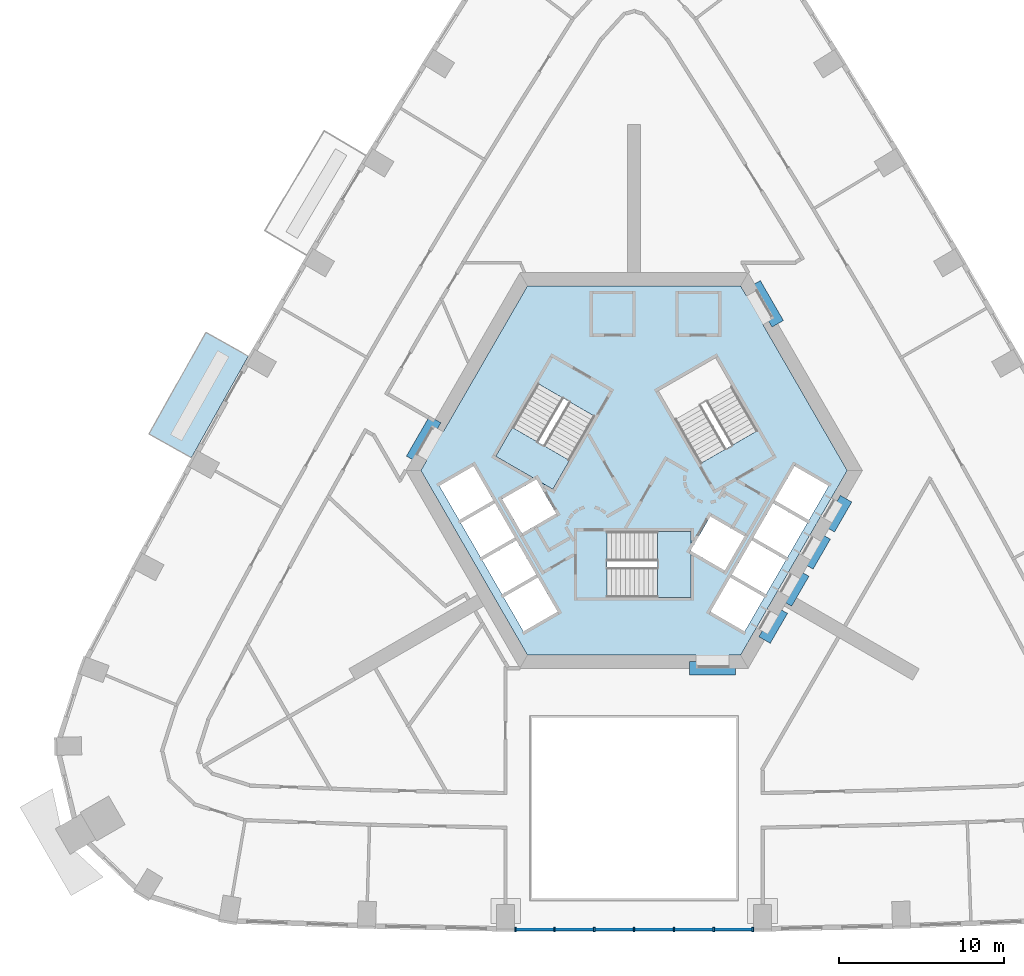
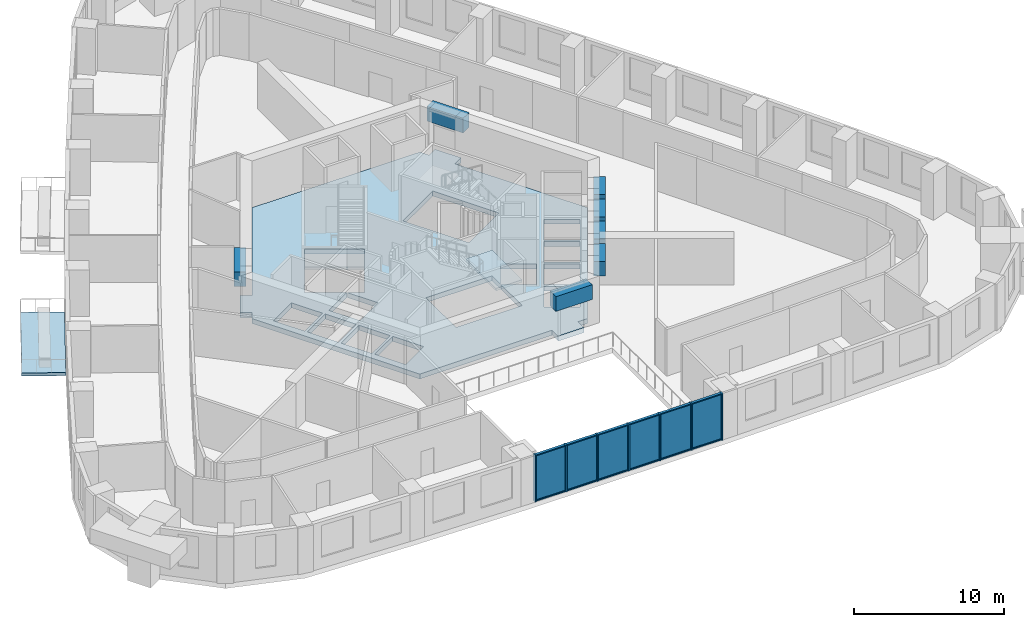
# One storey, part 2 of 15: 19 members, 7 beams, 6 plates, 4 slabs, 3 elements without a shape of their own.
"""IFC4 building model written with IfcOpenShell, lengths in metres."""

from ifc_helpers import new_model, si_unit, direction, frame, origin, origin_2d, place, context, subcontext, project, spatial, polyline, rectangle, outline, extrude, material, layer, layer_set, material_profile, profile_set, type_object, element, aggregate, save


model = new_model("IFC4")

# Units and contexts
model_context = context("Model", 3, precision=1e-05, world=origin(), true_north=direction((0.0, 1.0)))
body_context = subcontext(model_context, "Body", "Model", "MODEL_VIEW")
ifc_project = project(units=[si_unit("LENGTHUNIT", "METRE"), si_unit("AREAUNIT", "SQUARE_METRE"), si_unit("VOLUMEUNIT", "CUBIC_METRE"), si_unit("PLANEANGLEUNIT", "RADIAN"), si_unit("MASSUNIT", "GRAM", prefix="KILO")], contexts=[model_context])

# Site, building, storey
site_placement = place(None, origin())
site = spatial("IfcSite", under=ifc_project, at=site_placement, CompositionType="ELEMENT")
building_placement = place(site_placement, origin())
building = spatial("IfcBuilding", under=site, at=building_placement, Name="Entoto Arch Interchange Tower", CompositionType="ELEMENT")
storey_placement = place(building_placement, frame((0.0, 0.0, 171.800048828125)))
storey = spatial("IfcBuildingStorey", under=building, at=storey_placement, Name="L38", CompositionType="ELEMENT", Elevation=171.800048828125)

# Beams
ifc_material_1 = material(Name="Concrete C50/60", Category="concrete")
ifc_material_profile_1 = material_profile(ifc_material_1, rectangle(XDim=0.800048828125, YDim=1.199951171875, at=origin_2d()))
ifc_profile_set_1 = profile_set([ifc_material_profile_1], Name="Concrete C50/60")
beam_type = type_object("IfcBeamType", Name="Coupling beam RC 800x1200 C50/60", PredefinedType="BEAM", material=ifc_profile_set_1)
for number, where, z_axis, x_axis, name in (
    (1, (8.717041015625, 11.402099609375, 3.0), (-0.500200581029, 0.865909567298, 0.0), (-0.865909567298, -0.500200581029, 0.0), "Coupling beam NE L38"),
    (2, (-12.06689453125, 5.597900390625, 3.0), (-0.500200581029, -0.865909567298, 0.0), (0.865909567298, -0.500200581029, 0.0), "Coupling beam NW L38"),
):
    element("IfcBeam", number, at=place(storey_placement, frame(where, z_axis=z_axis, x_axis=x_axis)), inside=storey, type_object=beam_type, Name=name, PredefinedType="BEAM", context=body_context, shape_type="SweptSolid", body=[
        extrude(rectangle(XDim=0.800048828125, YDim=1.199951171875, at=origin_2d()), origin(), (0.0, 0.0, 1.0), 2.799072265625),
    ])
beam_1_placement = place(storey_placement, frame((3.35009765625, -9.5, 3.0), z_axis=(1.0, 0.0, 0.0), x_axis=(0.0, 1.0, 0.0)))
element("IfcBeam", 3, at=beam_1_placement, inside=storey, type_object=beam_type, Name="Coupling beam S L38", PredefinedType="BEAM", context=body_context, shape_type="SweptSolid", body=[
    extrude(rectangle(XDim=0.800048828125, YDim=1.199951171875, at=origin_2d()), origin(), (0.0, 0.0, 1.0), 2.7998046875),
])
for number, where, z_axis, x_axis, name in (
    (4, (7.9169921875, -7.785888671875, 3.0), (0.500178781653, 0.865922159541, 0.0), (-0.865922159541, 0.500178781653, 0.0), "Coupling beam SE L38"),
    (5, (9.217041015625, -5.534912109375, 3.0), (0.500178781653, 0.865922159541, 0.0), (-0.865922159541, 0.500178781653, 0.0), "Coupling beam SE L38"),
):
    element("IfcBeam", number, at=place(storey_placement, frame(where, z_axis=z_axis, x_axis=x_axis)), inside=storey, type_object=beam_type, Name=name, PredefinedType="BEAM", context=body_context, shape_type="SweptSolid", body=[
        extrude(rectangle(XDim=0.800048828125, YDim=1.199951171875, at=origin_2d()), origin(), (0.0, 0.0, 1.0), 2.099365234375),
    ])
beam_2_placement = place(storey_placement, frame((10.51708984375, -3.282958984375, 3.0), z_axis=(0.500091574638, 0.865972526687, 0.0), x_axis=(-0.865972526687, 0.500091574638, 0.0)))
element("IfcBeam", 6, at=beam_2_placement, inside=storey, type_object=beam_type, Name="Coupling beam SE L38", PredefinedType="BEAM", context=body_context, shape_type="SweptSolid", body=[
    extrude(rectangle(XDim=0.800048828125, YDim=1.199951171875, at=origin_2d()), origin(), (0.0, 0.0, 1.0), 2.09912109375),
])
beam_3_placement = place(storey_placement, frame((11.81689453125, -1.031982421875, 3.0), z_axis=(0.500178781653, 0.865922159541, 0.0), x_axis=(-0.865922159541, 0.500178781653, 0.0)))
element("IfcBeam", 7, at=beam_3_placement, inside=storey, type_object=beam_type, Name="Coupling beam SE L38", PredefinedType="BEAM", context=body_context, shape_type="SweptSolid", body=[
    extrude(rectangle(XDim=0.800048828125, YDim=1.199951171875, at=origin_2d()), origin(), (0.0, 0.0, 1.0), 2.099365234375),
])

# Curtain wall, members
ifc_material_2 = material(Name="Aluminium, anodised", Category="aluminium")
curtain_wall_type = type_object("IfcCurtainWallType", Name="CURTAIN WALL ATRIUM", PredefinedType="NOTDEFINED", material=ifc_material_2)
curtain_wall_placement = place(storey_placement, origin())
curtain_wall = element("IfcCurtainWall", 8, at=curtain_wall_placement, inside=storey, type_object=curtain_wall_type, Name="Atrium glazing S-03 L38", PredefinedType="NOTDEFINED")
ifc_material_profile_2 = material_profile(ifc_material_2, rectangle(XDim=0.300048828125, YDim=0.10009765625, at=origin_2d()))
ifc_profile_set_2 = profile_set([ifc_material_profile_2], Name="Aluminium, anodised")
member_type_1 = type_object("IfcMemberType", Name="MULLION ATRIUM 100x300", PredefinedType="MULLION", material=ifc_profile_set_2)
member_1_placement = place(storey_placement, frame((-7.198974609375, -25.347900390625, 0.0), z_axis=(0.0, 0.0, 1.0), x_axis=(0.0, 1.0, 0.0)))
member_1 = element("IfcMember", 9, at=member_1_placement, type_object=member_type_1, Name="CWA mullion 1", PredefinedType="MULLION", context=body_context, shape_type="SweptSolid", body=[
    extrude(rectangle(XDim=0.300048828125, YDim=0.10009765625, at=origin_2d()), origin(), (0.0, 0.0, 1.0), 3.800048828125),
])
member_2_placement = place(storey_placement, frame((-4.832763671875, -25.347900390625, 0.0), z_axis=(0.0, 0.0, 1.0), x_axis=(0.0, 1.0, 0.0)))
member_2 = element("IfcMember", 10, at=member_2_placement, type_object=member_type_1, Name="CWA mullion 2", PredefinedType="MULLION", context=body_context, shape_type="SweptSolid", body=[
    extrude(rectangle(XDim=0.300048828125, YDim=0.10009765625, at=origin_2d()), origin(), (0.0, 0.0, 1.0), 3.800048828125),
])
member_3_placement = place(storey_placement, frame((-2.416259765625, -25.347900390625, 0.0), z_axis=(0.0, 0.0, 1.0), x_axis=(0.0, 1.0, 0.0)))
member_3 = element("IfcMember", 11, at=member_3_placement, type_object=member_type_1, Name="CWA mullion 3", PredefinedType="MULLION", context=body_context, shape_type="SweptSolid", body=[
    extrude(rectangle(XDim=0.300048828125, YDim=0.10009765625, at=origin_2d()), origin(), (0.0, 0.0, 1.0), 3.800048828125),
])
member_4_placement = place(storey_placement, frame((0.0, -25.347900390625, 0.0), z_axis=(0.0, 0.0, 1.0), x_axis=(0.0, 1.0, 0.0)))
member_4 = element("IfcMember", 12, at=member_4_placement, type_object=member_type_1, Name="CWA mullion 4", PredefinedType="MULLION", context=body_context, shape_type="SweptSolid", body=[
    extrude(rectangle(XDim=0.300048828125, YDim=0.10009765625, at=origin_2d()), origin(), (0.0, 0.0, 1.0), 3.800048828125),
])
member_5_placement = place(storey_placement, frame((2.416259765625, -25.347900390625, 0.0), z_axis=(0.0, 0.0, 1.0), x_axis=(0.0, 1.0, 0.0)))
member_5 = element("IfcMember", 13, at=member_5_placement, type_object=member_type_1, Name="CWA mullion 5", PredefinedType="MULLION", context=body_context, shape_type="SweptSolid", body=[
    extrude(rectangle(XDim=0.300048828125, YDim=0.10009765625, at=origin_2d()), origin(), (0.0, 0.0, 1.0), 3.800048828125),
])
member_6_placement = place(storey_placement, frame((4.832763671875, -25.347900390625, 0.0), z_axis=(0.0, 0.0, 1.0), x_axis=(0.0, 1.0, 0.0)))
member_6 = element("IfcMember", 14, at=member_6_placement, type_object=member_type_1, Name="CWA mullion 6", PredefinedType="MULLION", context=body_context, shape_type="SweptSolid", body=[
    extrude(rectangle(XDim=0.300048828125, YDim=0.10009765625, at=origin_2d()), origin(), (0.0, 0.0, 1.0), 3.800048828125),
])
member_7_placement = place(storey_placement, frame((7.198974609375, -25.347900390625, 0.0), z_axis=(0.0, 0.0, 1.0), x_axis=(0.0, 1.0, 0.0)))
member_7 = element("IfcMember", 15, at=member_7_placement, type_object=member_type_1, Name="CWA mullion 7", PredefinedType="MULLION", context=body_context, shape_type="SweptSolid", body=[
    extrude(rectangle(XDim=0.300048828125, YDim=0.10009765625, at=origin_2d()), origin(), (0.0, 0.0, 1.0), 3.800048828125),
])
ifc_material_profile_3 = material_profile(ifc_material_2, rectangle(XDim=0.199951171875, YDim=0.080078125, at=origin_2d()))
ifc_profile_set_3 = profile_set([ifc_material_profile_3], Name="Aluminium, anodised")
member_type_2 = type_object("IfcMemberType", Name="TRANSOM ATRIUM 80x200", PredefinedType="USERDEFINED", material=ifc_profile_set_3)
member_8_placement = place(storey_placement, frame((-7.14892578125, -25.347900390625, 0.0400390625), z_axis=(1.0, 0.0, 0.0), x_axis=(0.0, 1.0, 0.0)))
member_8 = element("IfcMember", 16, at=member_8_placement, type_object=member_type_2, Name="CWA transom 1.1", ObjectType="TRANSOM", PredefinedType="USERDEFINED", context=body_context, shape_type="SweptSolid", body=[
    extrude(rectangle(XDim=0.199951171875, YDim=0.080078125, at=origin_2d()), origin(), (0.0, 0.0, 1.0), 2.266357421875),
])
member_9_placement = place(storey_placement, frame((-7.14892578125, -25.347900390625, 3.760009765625), z_axis=(1.0, 0.0, 0.0), x_axis=(0.0, 1.0, 0.0)))
member_9 = element("IfcMember", 17, at=member_9_placement, type_object=member_type_2, Name="CWA transom 1.2", ObjectType="TRANSOM", PredefinedType="USERDEFINED", context=body_context, shape_type="SweptSolid", body=[
    extrude(rectangle(XDim=0.199951171875, YDim=0.080078125, at=origin_2d()), origin(), (0.0, 0.0, 1.0), 2.266357421875),
])
member_10_placement = place(storey_placement, frame((-4.78271484375, -25.347900390625, 0.0400390625), z_axis=(1.0, 0.0, 0.0), x_axis=(0.0, 1.0, 0.0)))
member_10 = element("IfcMember", 18, at=member_10_placement, type_object=member_type_2, Name="CWA transom 2.1", ObjectType="TRANSOM", PredefinedType="USERDEFINED", context=body_context, shape_type="SweptSolid", body=[
    extrude(rectangle(XDim=0.199951171875, YDim=0.080078125, at=origin_2d()), origin(), (0.0, 0.0, 1.0), 2.31640625),
])
member_11_placement = place(storey_placement, frame((-4.78271484375, -25.347900390625, 3.760009765625), z_axis=(1.0, 0.0, 0.0), x_axis=(0.0, 1.0, 0.0)))
member_11 = element("IfcMember", 19, at=member_11_placement, type_object=member_type_2, Name="CWA transom 2.2", ObjectType="TRANSOM", PredefinedType="USERDEFINED", context=body_context, shape_type="SweptSolid", body=[
    extrude(rectangle(XDim=0.199951171875, YDim=0.080078125, at=origin_2d()), origin(), (0.0, 0.0, 1.0), 2.31640625),
])
member_12_placement = place(storey_placement, frame((-2.366455078125, -25.347900390625, 0.0400390625), z_axis=(1.0, 0.0, 0.0), x_axis=(0.0, 1.0, 0.0)))
member_12 = element("IfcMember", 20, at=member_12_placement, type_object=member_type_2, Name="CWA transom 3.1", ObjectType="TRANSOM", PredefinedType="USERDEFINED", context=body_context, shape_type="SweptSolid", body=[
    extrude(rectangle(XDim=0.199951171875, YDim=0.080078125, at=origin_2d()), origin(), (0.0, 0.0, 1.0), 2.31640625),
])
member_13_placement = place(storey_placement, frame((-2.366455078125, -25.347900390625, 3.760009765625), z_axis=(1.0, 0.0, 0.0), x_axis=(0.0, 1.0, 0.0)))
member_13 = element("IfcMember", 21, at=member_13_placement, type_object=member_type_2, Name="CWA transom 3.2", ObjectType="TRANSOM", PredefinedType="USERDEFINED", context=body_context, shape_type="SweptSolid", body=[
    extrude(rectangle(XDim=0.199951171875, YDim=0.080078125, at=origin_2d()), origin(), (0.0, 0.0, 1.0), 2.31640625),
])
member_14_placement = place(storey_placement, frame((0.050048828125, -25.347900390625, 0.0400390625), z_axis=(1.0, 0.0, 0.0), x_axis=(0.0, 1.0, 0.0)))
member_14 = element("IfcMember", 22, at=member_14_placement, type_object=member_type_2, Name="CWA transom 4.1", ObjectType="TRANSOM", PredefinedType="USERDEFINED", context=body_context, shape_type="SweptSolid", body=[
    extrude(rectangle(XDim=0.199951171875, YDim=0.080078125, at=origin_2d()), origin(), (0.0, 0.0, 1.0), 2.31640625),
])
member_15_placement = place(storey_placement, frame((0.050048828125, -25.347900390625, 3.760009765625), z_axis=(1.0, 0.0, 0.0), x_axis=(0.0, 1.0, 0.0)))
member_15 = element("IfcMember", 23, at=member_15_placement, type_object=member_type_2, Name="CWA transom 4.2", ObjectType="TRANSOM", PredefinedType="USERDEFINED", context=body_context, shape_type="SweptSolid", body=[
    extrude(rectangle(XDim=0.199951171875, YDim=0.080078125, at=origin_2d()), origin(), (0.0, 0.0, 1.0), 2.31640625),
])
member_16_placement = place(storey_placement, frame((2.46630859375, -25.347900390625, 0.0400390625), z_axis=(1.0, 0.0, 0.0), x_axis=(0.0, 1.0, 0.0)))
member_16 = element("IfcMember", 24, at=member_16_placement, type_object=member_type_2, Name="CWA transom 5.1", ObjectType="TRANSOM", PredefinedType="USERDEFINED", context=body_context, shape_type="SweptSolid", body=[
    extrude(rectangle(XDim=0.199951171875, YDim=0.080078125, at=origin_2d()), origin(), (0.0, 0.0, 1.0), 2.31640625),
])
member_17_placement = place(storey_placement, frame((2.46630859375, -25.347900390625, 3.760009765625), z_axis=(1.0, 0.0, 0.0), x_axis=(0.0, 1.0, 0.0)))
member_17 = element("IfcMember", 25, at=member_17_placement, type_object=member_type_2, Name="CWA transom 5.2", ObjectType="TRANSOM", PredefinedType="USERDEFINED", context=body_context, shape_type="SweptSolid", body=[
    extrude(rectangle(XDim=0.199951171875, YDim=0.080078125, at=origin_2d()), origin(), (0.0, 0.0, 1.0), 2.31640625),
])
member_18_placement = place(storey_placement, frame((4.882568359375, -25.347900390625, 0.0400390625), z_axis=(1.0, 0.0, 0.0), x_axis=(0.0, 1.0, 0.0)))
member_18 = element("IfcMember", 26, at=member_18_placement, type_object=member_type_2, Name="CWA transom 6.1", ObjectType="TRANSOM", PredefinedType="USERDEFINED", context=body_context, shape_type="SweptSolid", body=[
    extrude(rectangle(XDim=0.199951171875, YDim=0.080078125, at=origin_2d()), origin(), (0.0, 0.0, 1.0), 2.266357421875),
])
member_19_placement = place(storey_placement, frame((4.882568359375, -25.347900390625, 3.760009765625), z_axis=(1.0, 0.0, 0.0), x_axis=(0.0, 1.0, 0.0)))
member_19 = element("IfcMember", 27, at=member_19_placement, type_object=member_type_2, Name="CWA transom 6.2", ObjectType="TRANSOM", PredefinedType="USERDEFINED", context=body_context, shape_type="SweptSolid", body=[
    extrude(rectangle(XDim=0.199951171875, YDim=0.080078125, at=origin_2d()), origin(), (0.0, 0.0, 1.0), 2.266357421875),
])

# Slabs
ifc_material_3 = material(Name="Board-marked precast concrete C50/60", Category="concrete")
ifc_layer_1 = layer(ifc_material_3, 0.25)
ifc_layer_set_1 = layer_set([ifc_layer_1], Name="Board-marked precast concrete C50/60")
slab_type_1 = type_object("IfcSlabType", Name="BALCONY DECK PRECAST 250", PredefinedType="FLOOR", material=ifc_layer_set_1)
slab_1_placement = place(storey_placement, frame((0.0, 0.0, -0.25)))
element("IfcSlab", 28, at=slab_1_placement, inside=storey, type_object=slab_type_1, Name="Planted balcony NW-05 L38", PredefinedType="FLOOR", context=body_context, shape_type="SweptSolid", body=[
    extrude(outline(polyline([(-23.406005859375, 9.43603515625), (-26.860107421875, 3.27490234375), (-29.43310546875, 4.718017578125), (-25.97900390625, 10.87890625), (-23.406005859375, 9.43603515625)])), origin(), (0.0, 0.0, 1.0), 0.25),
])
ifc_material_4 = material(Name="Concrete C40/50", Category="concrete")
ifc_layer_2 = layer(ifc_material_4, 0.39990234375)
ifc_layer_set_2 = layer_set([ifc_layer_2], Name="Concrete C40/50")
slab_type_2 = type_object("IfcSlabType", Name="Core floor slab 400 C40/50", PredefinedType="FLOOR", material=ifc_layer_set_2)
slab_2_placement = place(storey_placement, frame((0.0, 0.0, -0.400146484375)))
element("IfcSlab", 29, at=slab_2_placement, inside=storey, type_object=slab_type_2, Name="Core floor slab L38", PredefinedType="FLOOR", context=body_context, shape_type="SweptSolid", body=[
    extrude(outline(polyline([(5.75, -9.5), (3.75, -9.5), (3.75, -8.699951171875), (-6.466064453125, -8.699951171875), (-12.93310546875, 2.5), (-12.574951171875, 3.1201171875), (-13.26708984375, 3.52001953125), (-12.26708984375, 5.251953125), (-11.574951171875, 4.85205078125), (-6.466064453125, 13.699951171875), (6.466064453125, 13.699951171875), (6.823974609375, 13.080078125), (7.51708984375, 13.47998046875), (8.51708984375, 11.748046875), (7.823974609375, 11.347900390625), (12.93310546875, 2.5), (6.466064453125, -8.699951171875), (5.75, -8.699951171875), (5.75, -9.5)]), holes=[polyline([(-5.837890625, -3.988037109375), (-7.916015625, -5.18798828125), (-6.716064453125, -7.26708984375), (-4.637939453125, -6.06689453125), (-5.837890625, -3.988037109375)]), polyline([(-5.93798828125, -3.81494140625), (-7.137939453125, -1.737060546875), (-9.216064453125, -2.93701171875), (-8.01611328125, -5.014892578125), (-5.93798828125, -3.81494140625)]), polyline([(5.5048828125, -3.56494140625), (6.705078125, -1.487060546875), (4.626953125, -0.287109375), (3.449951171875, -2.324951171875), (3.449951171875, -1.199951171875), (-1.64990234375, -1.199951171875), (-1.64990234375, -5.199951171875), (3.449951171875, -5.199951171875), (3.449951171875, -2.3779296875), (5.5048828125, -3.56494140625)]), polyline([(-8.43798828125, 0.514892578125), (-10.51611328125, -0.68505859375), (-9.31591796875, -2.762939453125), (-7.238037109375, -1.56298828125), (-8.43798828125, 0.514892578125)]), polyline([(-4.72705078125, -0.113037109375), (-5.904052734375, 1.925048828125), (-4.928955078125, 1.362060546875), (-2.37890625, 5.779052734375), (-5.843017578125, 7.779052734375), (-8.39306640625, 3.362060546875), (-5.949951171875, 1.951904296875), (-8.0048828125, 0.764892578125), (-6.804931640625, -1.31298828125), (-4.72705078125, -0.113037109375)]), polyline([(-8.5380859375, 0.68798828125), (-9.738037109375, 2.76708984375), (-11.81591796875, 1.56689453125), (-10.615966796875, -0.511962890625), (-8.5380859375, 0.68798828125)]), polyline([(5.837890625, -3.988037109375), (4.637939453125, -6.06689453125), (6.716064453125, -7.26708984375), (7.916015625, -5.18798828125), (5.837890625, -3.988037109375)]), polyline([(7.137939453125, -1.737060546875), (5.93798828125, -3.81494140625), (8.01611328125, -5.014892578125), (9.216064453125, -2.93701171875), (7.137939453125, -1.737060546875)]), polyline([(8.43798828125, 0.514892578125), (7.238037109375, -1.56298828125), (9.31591796875, -2.762939453125), (10.51611328125, -0.68505859375), (8.43798828125, 0.514892578125)]), polyline([(9.738037109375, 2.76708984375), (8.5380859375, 0.68798828125), (10.615966796875, -0.511962890625), (11.81591796875, 1.56689453125), (9.738037109375, 2.76708984375)]), polyline([(4.029052734375, 2.9208984375), (7.492919921875, 4.9208984375), (4.943115234375, 9.337890625), (1.47900390625, 7.337890625), (4.029052734375, 2.9208984375)])]), origin(), (0.0, 0.0, 1.0), 0.400146484375),
])

# Stair, slab
stair_type = type_object("IfcStairType", Name="EXIT STAIR RC 1800", PredefinedType="HALF_TURN_STAIR", material=ifc_material_4)
stair_1_placement = place(storey_placement, origin())
stair_1 = element("IfcStair", 30, at=stair_1_placement, inside=storey, type_object=stair_type, Name="L38 Exit stair S", PredefinedType="HALF_TURN_STAIR")
ifc_layer_3 = layer(ifc_material_4, 0.199951171875)
ifc_layer_set_3 = layer_set([ifc_layer_3], Name="Concrete C40/50")
slab_type_3 = type_object("IfcSlabType", Name="EXIT STAIR LANDING RC 200", PredefinedType="LANDING", material=ifc_layer_set_3)
slab_3_placement = place(storey_placement, frame((0.0, 0.0, 1.89990234375)))
slab_3 = element("IfcSlab", 31, at=slab_3_placement, type_object=slab_type_3, Name="ST-S landing 1", PredefinedType="LANDING", context=body_context, shape_type="SweptSolid", body=[
    extrude(outline(polyline([(1.429931640625, -5.199951171875), (3.449951171875, -5.199951171875), (3.449951171875, -1.199951171875), (1.429931640625, -1.199951171875), (1.429931640625, -5.199951171875)])), origin(), (0.0, 0.0, 1.0), 0.199951171875),
])
aggregate(stair_1, [slab_3])

stair_2_placement = place(storey_placement, origin())
stair_2 = element("IfcStair", 32, at=stair_2_placement, inside=storey, type_object=stair_type, Name="L38 Exit stair NW", PredefinedType="HALF_TURN_STAIR")
slab_4_placement = place(storey_placement, frame((0.0, 0.0, 1.89990234375)))
slab_4 = element("IfcSlab", 33, at=slab_4_placement, type_object=slab_type_3, Name="ST-NW landing 1", PredefinedType="LANDING", context=body_context, shape_type="SweptSolid", body=[
    extrude(outline(polyline([(-7.38330078125, 5.111572265625), (-8.393310546875, 3.3623046875), (-4.92919921875, 1.3623046875), (-3.919189453125, 3.111572265625), (-7.38330078125, 5.111572265625)])), origin(), (0.0, 0.0, 1.0), 0.199951171875),
])
aggregate(stair_2, [slab_4])

# Plate
ifc_material_5 = material(Name="Clear glass, low-e double glazed", Category="glass")
ifc_layer_4 = layer(ifc_material_5, 0.031982421875)
ifc_layer_set_4 = layer_set([ifc_layer_4], Name="Clear glass, low-e double glazed")
plate_type = type_object("IfcPlateType", Name="GLAZING PANEL ATRIUM 32", PredefinedType="CURTAIN_PANEL", material=ifc_layer_set_4)
plate_1_placement = place(storey_placement, frame((-6.015869140625, -25.347900390625, 0.080078125), z_axis=(0.0, 0.0, 1.0), x_axis=(1.0, 0.0, 0.0)))
plate_1 = element("IfcPlate", 34, at=plate_1_placement, type_object=plate_type, Name="CWA panel 1.1", PredefinedType="CURTAIN_PANEL", context=body_context, shape_type="SweptSolid", body=[
    extrude(rectangle(XDim=2.266357421875, YDim=0.031982421875, at=origin_2d()), origin(), (0.0, 0.0, 1.0), 3.639892578125),
])

plate_2_placement = place(storey_placement, frame((-3.62451171875, -25.347900390625, 0.080078125), z_axis=(0.0, 0.0, 1.0), x_axis=(1.0, 0.0, 0.0)))
plate_2 = element("IfcPlate", 35, at=plate_2_placement, type_object=plate_type, Name="CWA panel 2.1", PredefinedType="CURTAIN_PANEL", context=body_context, shape_type="SweptSolid", body=[
    extrude(rectangle(XDim=2.31640625, YDim=0.031982421875, at=origin_2d()), origin(), (0.0, 0.0, 1.0), 3.639892578125),
])

plate_3_placement = place(storey_placement, frame((-1.208251953125, -25.347900390625, 0.080078125), z_axis=(0.0, 0.0, 1.0), x_axis=(1.0, 0.0, 0.0)))
plate_3 = element("IfcPlate", 36, at=plate_3_placement, type_object=plate_type, Name="CWA panel 3.1", PredefinedType="CURTAIN_PANEL", context=body_context, shape_type="SweptSolid", body=[
    extrude(rectangle(XDim=2.31640625, YDim=0.031982421875, at=origin_2d()), origin(), (0.0, 0.0, 1.0), 3.639892578125),
])

plate_4_placement = place(storey_placement, frame((1.208251953125, -25.347900390625, 0.080078125), z_axis=(0.0, 0.0, 1.0), x_axis=(1.0, 0.0, 0.0)))
plate_4 = element("IfcPlate", 37, at=plate_4_placement, type_object=plate_type, Name="CWA panel 4.1", PredefinedType="CURTAIN_PANEL", context=body_context, shape_type="SweptSolid", body=[
    extrude(rectangle(XDim=2.31640625, YDim=0.031982421875, at=origin_2d()), origin(), (0.0, 0.0, 1.0), 3.639892578125),
])

plate_5_placement = place(storey_placement, frame((3.62451171875, -25.347900390625, 0.080078125), z_axis=(0.0, 0.0, 1.0), x_axis=(1.0, 0.0, 0.0)))
plate_5 = element("IfcPlate", 38, at=plate_5_placement, type_object=plate_type, Name="CWA panel 5.1", PredefinedType="CURTAIN_PANEL", context=body_context, shape_type="SweptSolid", body=[
    extrude(rectangle(XDim=2.31640625, YDim=0.031982421875, at=origin_2d()), origin(), (0.0, 0.0, 1.0), 3.639892578125),
])

plate_6_placement = place(storey_placement, frame((6.015869140625, -25.347900390625, 0.080078125), z_axis=(0.0, 0.0, 1.0), x_axis=(1.0, 0.0, 0.0)))
plate_6 = element("IfcPlate", 39, at=plate_6_placement, type_object=plate_type, Name="CWA panel 6.1", PredefinedType="CURTAIN_PANEL", context=body_context, shape_type="SweptSolid", body=[
    extrude(rectangle(XDim=2.266357421875, YDim=0.031982421875, at=origin_2d()), origin(), (0.0, 0.0, 1.0), 3.639892578125),
])

aggregate(curtain_wall, [member_1, member_2, member_3, member_4, member_5, member_6, member_7, member_8, member_9, plate_1, member_10, member_11, plate_2, member_12, member_13, plate_3, member_14, member_15, plate_4, member_16, member_17, plate_5, member_18, member_19, plate_6])

save(model, "model.ifc")
